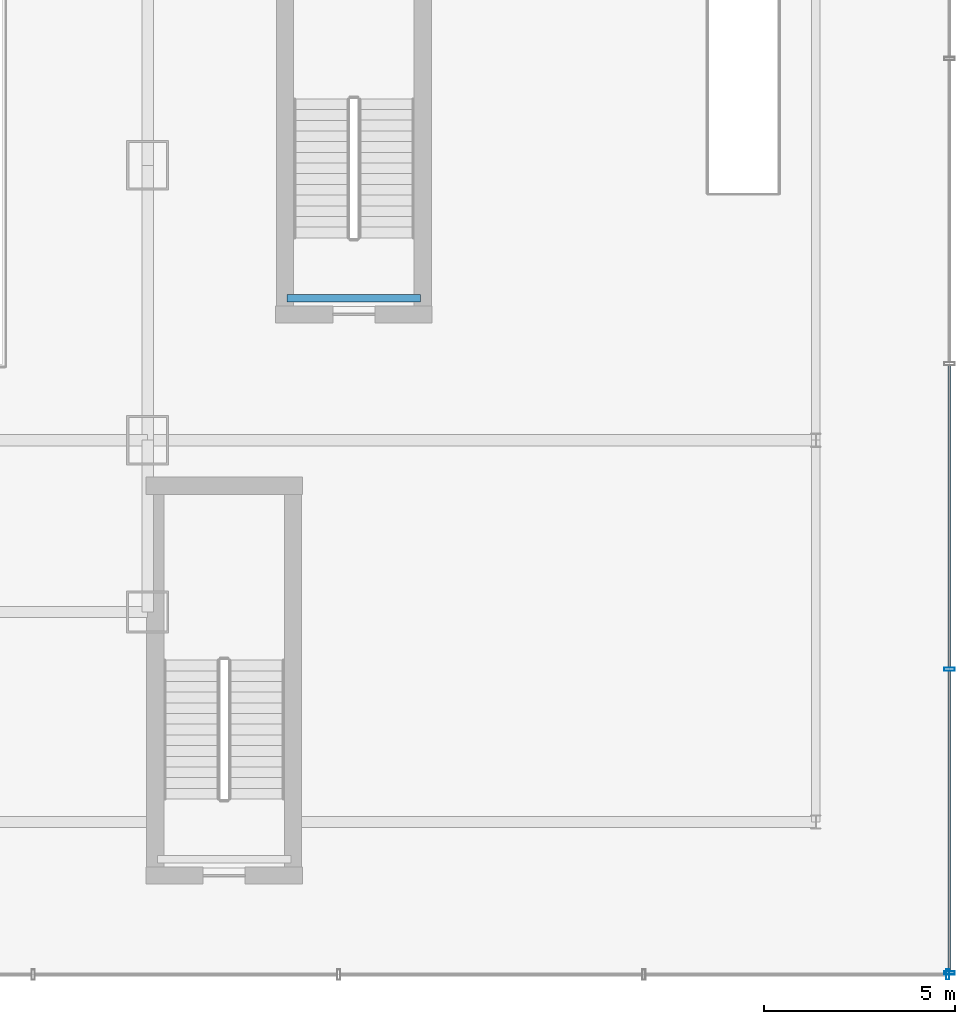
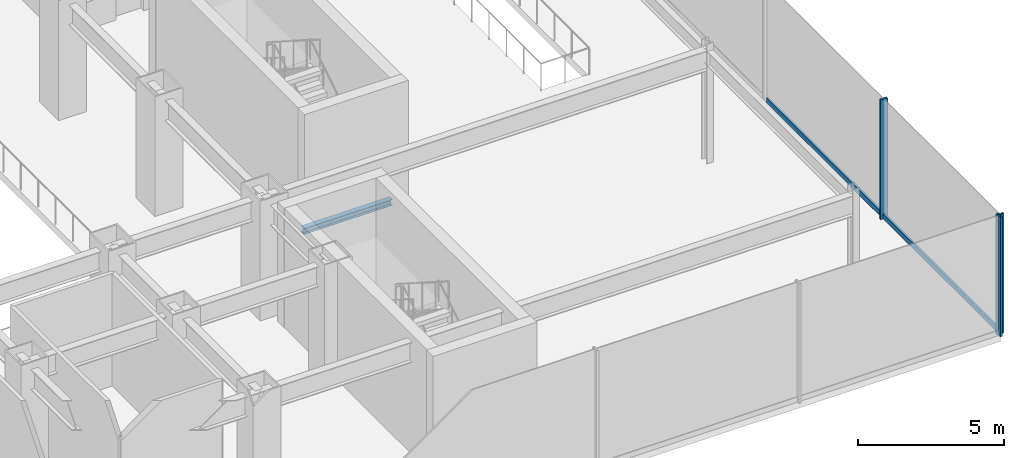
# One storey, part 21 of 39: 5 members, 1 beam, 2 elements without a shape of their own.
"""IFC4 building model written with IfcOpenShell, lengths in metres."""

from ifc_helpers import new_model, si_unit, derived_unit, direction, frame, origin, origin_2d, place, context, subcontext, project, spatial, hollow_rectangle, i_section, extrude, source, transform, mapped, material, material_profile, profile_set, type_object, element, aggregate, save


model = new_model("IFC4")

# Units and contexts
model_context = context("Model", 3, precision=1e-05, world=origin(), true_north=direction((0.0, 1.0)))
body_context = subcontext(model_context, "Body", "Model", "MODEL_VIEW")
ifc_project = project(units=[si_unit("LENGTHUNIT", "METRE"), si_unit("AREAUNIT", "SQUARE_METRE"), si_unit("VOLUMEUNIT", "CUBIC_METRE"), si_unit("PLANEANGLEUNIT", "RADIAN"), si_unit("MASSUNIT", "GRAM", prefix="KILO"), derived_unit("THERMALTRANSMITTANCEUNIT", [(si_unit("POWERUNIT", "WATT"), 1), (si_unit("LENGTHUNIT", "METRE"), -2), (si_unit("THERMODYNAMICTEMPERATUREUNIT", "KELVIN"), -1)])], contexts=[model_context])

# Site, building, storey
site_placement = place(None, origin())
site = spatial("IfcSite", under=ifc_project, at=site_placement, CompositionType="ELEMENT")
building_placement = place(site_placement, origin())
building = spatial("IfcBuilding", under=site, at=building_placement, Name="Skarnbrae Concourse Arena and Tower", CompositionType="ELEMENT")
storey_placement = place(building_placement, frame((0.0, 0.0, 11.0)))
storey = spatial("IfcBuildingStorey", under=building, at=storey_placement, Name="L02", CompositionType="ELEMENT", Elevation=11.0)

# Curtain wall, member
ifc_material_1 = material(Name="Bronze anodised aluminium 6063-T6", Category="aluminium")
curtain_wall_type = type_object("IfcCurtainWallType", Name="CW-SYS-01-PODIUM", PredefinedType="USERDEFINED", material=ifc_material_1)
curtain_wall_1_placement = place(storey_placement, origin())
curtain_wall_1 = element("IfcCurtainWall", 1, at=curtain_wall_1_placement, inside=storey, type_object=curtain_wall_type, Name="L02 Unitised curtain wall CW-L02-SE", ObjectType="UNITISED CURTAIN WALL", PredefinedType="USERDEFINED")
ifc_material_profile_1 = material_profile(ifc_material_1, hollow_rectangle(XDim=0.0849609375, YDim=0.280029296875, WallThickness=0.006103515625, at=origin_2d()), Name="ALU-MULL-85X280")
ifc_profile_set_1 = profile_set([ifc_material_profile_1], Name="Bronze anodised aluminium 6063-T6")
member_type_1 = type_object("IfcMemberType", Name="CWM-CW-01", PredefinedType="MULLION", material=ifc_profile_set_1)
shared_shape_1 = source(origin(), body_context, "Body", "SweptSolid", [
    extrude(hollow_rectangle(XDim=0.0849609375, YDim=0.280029296875, WallThickness=0.006103515625, at=origin_2d()), origin(), (0.0, 0.0, 1.0), 5.0),
])
member_1_placement = place(storey_placement, frame((81.95751953125, 0.0, 0.0), z_axis=(0.0, 0.0, 1.0), x_axis=(1.0, 0.0, 0.0)))
member_1 = element("IfcMember", 2, at=member_1_placement, type_object=member_type_1, Name="CW-L02-SE Mullion 7", PredefinedType="MULLION", context=body_context, shape_type="MappedRepresentation", body=[
    mapped(shared_shape_1, transform((0.0, 0.0, 0.0))),
])
aggregate(curtain_wall_1, [member_1])

# Curtain wall, members
curtain_wall_2_placement = place(storey_placement, origin())
curtain_wall_2 = element("IfcCurtainWall", 3, at=curtain_wall_2_placement, inside=storey, type_object=curtain_wall_type, Name="L02 Unitised curtain wall CW-L02-E", ObjectType="UNITISED CURTAIN WALL", PredefinedType="USERDEFINED")
member_2_placement = place(storey_placement, frame((82.0, 0.04248046875, 0.0), z_axis=(0.0, 0.0, 1.0), x_axis=(0.0, 1.0, 0.0)))
member_2 = element("IfcMember", 4, at=member_2_placement, type_object=member_type_1, Name="CW-L02-E Mullion 1", PredefinedType="MULLION", context=body_context, shape_type="MappedRepresentation", body=[
    mapped(shared_shape_1, transform((0.0, 0.0, 0.0))),
])
member_3_placement = place(storey_placement, frame((82.0, 8.0, 0.0), z_axis=(0.0, 0.0, 1.0), x_axis=(0.0, 1.0, 0.0)))
member_3 = element("IfcMember", 5, at=member_3_placement, type_object=member_type_1, Name="CW-L02-E Mullion 2", PredefinedType="MULLION", context=body_context, shape_type="MappedRepresentation", body=[
    mapped(shared_shape_1, transform((0.0, 0.0, 0.0))),
])
ifc_material_profile_2 = material_profile(ifc_material_1, hollow_rectangle(XDim=0.0849609375, YDim=0.219970703125, WallThickness=0.006103515625, at=origin_2d()), Name="ALU-TRAN-85X220")
ifc_profile_set_2 = profile_set([ifc_material_profile_2], Name="Bronze anodised aluminium 6063-T6")
member_type_2 = type_object("IfcMemberType", Name="CWT-CW-01", PredefinedType="USERDEFINED", material=ifc_profile_set_2)
shared_shape_2 = source(origin(), body_context, "Body", "SweptSolid", [
    extrude(hollow_rectangle(XDim=0.0849609375, YDim=0.219970703125, WallThickness=0.006103515625, at=origin_2d()), origin(), (0.0, 0.0, 1.0), 7.87255859375),
])
member_4_placement = place(storey_placement, frame((82.0, 0.0849609375, 0.110107421875), z_axis=(0.0, 1.0, 0.0), x_axis=(-1.0, 0.0, 0.0)))
member_4 = element("IfcMember", 6, at=member_4_placement, type_object=member_type_2, Name="CW-L02-E Transom 1", ObjectType="TRANSOM", PredefinedType="USERDEFINED", context=body_context, shape_type="MappedRepresentation", body=[
    mapped(shared_shape_2, transform((0.0, 0.0, 0.0))),
])
shared_shape_3 = source(origin(), body_context, "Body", "SweptSolid", [
    extrude(hollow_rectangle(XDim=0.0849609375, YDim=0.219970703125, WallThickness=0.006103515625, at=origin_2d()), origin(), (0.0, 0.0, 1.0), 7.9150390625),
])
member_5_placement = place(storey_placement, frame((82.0, 8.04248046875, 0.110107421875), z_axis=(0.0, 1.0, 0.0), x_axis=(-1.0, 0.0, 0.0)))
member_5 = element("IfcMember", 7, at=member_5_placement, type_object=member_type_2, Name="CW-L02-E Transom 2", ObjectType="TRANSOM", PredefinedType="USERDEFINED", context=body_context, shape_type="MappedRepresentation", body=[
    mapped(shared_shape_3, transform((0.0, 0.0, 0.0))),
])
aggregate(curtain_wall_2, [member_2, member_3, member_4, member_5])

# Beam
ifc_material_2 = material(Name="Steel CSA G40.21 350W", Category="steel")
ifc_material_profile_3 = material_profile(ifc_material_2, i_section(OverallWidth=0.202880859375, OverallDepth=0.251953125, WebThickness=0.008056640625, FlangeThickness=0.013427734375, at=origin_2d()), Name="W250X58")
ifc_profile_set_3 = profile_set([ifc_material_profile_3], Name="Steel CSA G40.21 350W")
beam_type = type_object("IfcBeamType", Name="BM-LINTEL-W250X58", PredefinedType="LINTEL", material=ifc_profile_set_3)
shared_shape_4 = source(origin(), body_context, "Body", "SweptSolid", [
    extrude(i_section(OverallWidth=0.202880859375, OverallDepth=0.251953125, WebThickness=0.008056640625, FlangeThickness=0.013427734375, at=origin_2d()), origin(), (0.0, 0.0, 1.0), 3.5),
])
beam_placement = place(storey_placement, frame((68.14990234375, 17.719970703125, -0.325927734375), z_axis=(-1.0, 0.0, 0.0), x_axis=(0.0, -1.0, 0.0)))
element("IfcBeam", 8, at=beam_placement, inside=storey, type_object=beam_type, Name="L02 Stair ST-A2 near landing soffit beam", PredefinedType="LINTEL", context=body_context, shape_type="MappedRepresentation", body=[
    mapped(shared_shape_4, transform((0.0, 0.0, 0.0))),
])

save(model, "model.ifc")
